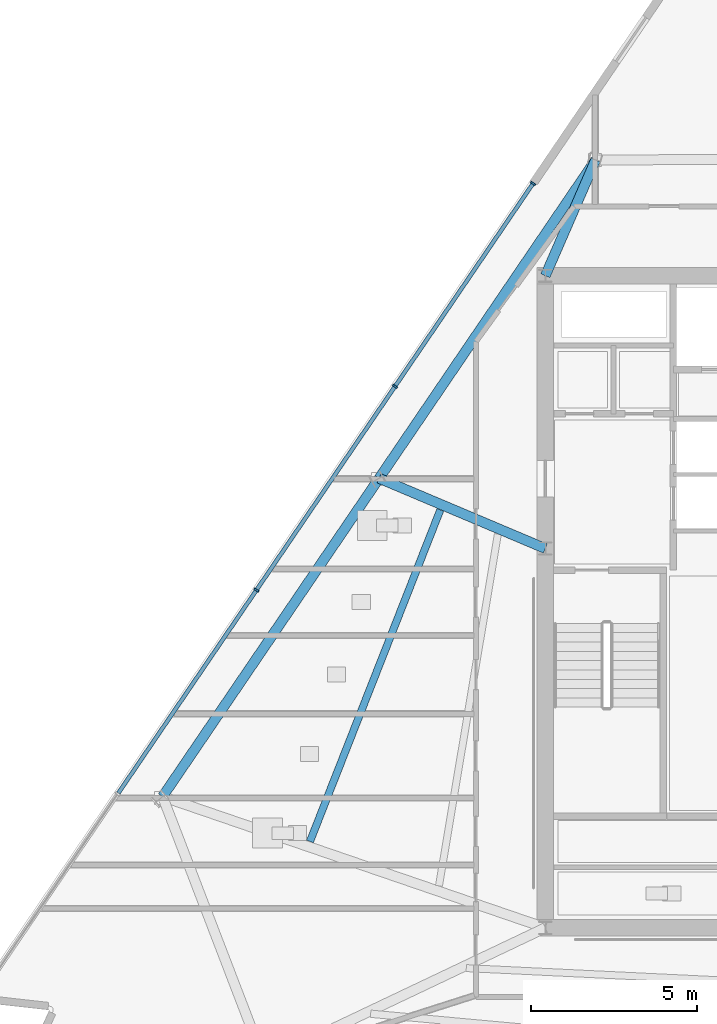
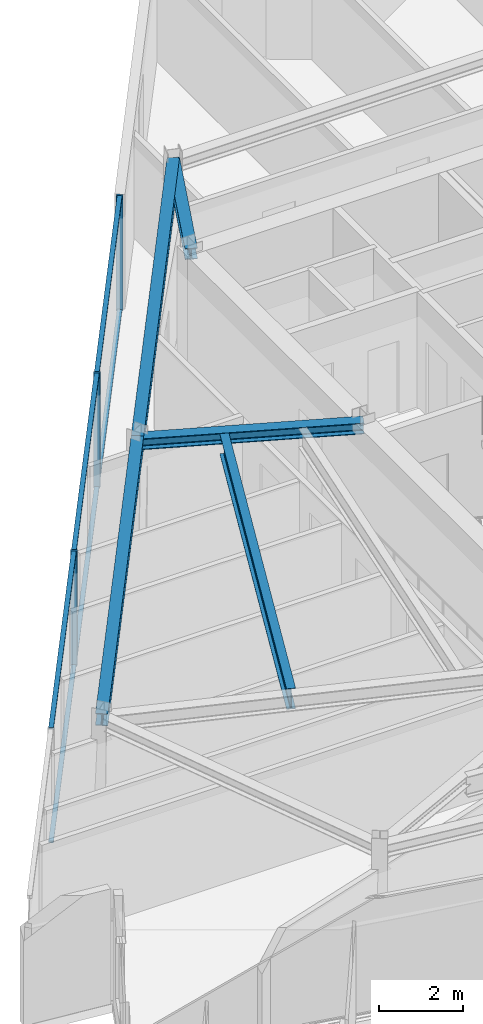
# One storey, part 4 of 14: 9 members, 5 beams, 1 element without a shape of its own.
"""IFC4 building model written with IfcOpenShell, lengths in metres."""

from ifc_helpers import new_model, si_unit, direction, frame, origin, origin_2d, place, context, subcontext, project, spatial, rectangle, i_section, extrude, material, material_profile, profile_set, type_object, element, aggregate, save


model = new_model("IFC4")

# Units and contexts
model_context = context("Model", 3, precision=1e-05, world=origin(), true_north=direction((0.0, 1.0)))
body_context = subcontext(model_context, "Body", "Model", "MODEL_VIEW")
ifc_project = project(units=[si_unit("LENGTHUNIT", "METRE"), si_unit("AREAUNIT", "SQUARE_METRE"), si_unit("VOLUMEUNIT", "CUBIC_METRE"), si_unit("PLANEANGLEUNIT", "RADIAN"), si_unit("MASSUNIT", "GRAM", prefix="KILO")], contexts=[model_context])

# Site, building, storey
site_placement = place(None, origin())
site = spatial("IfcSite", under=ifc_project, at=site_placement, CompositionType="ELEMENT")
building_placement = place(site_placement, origin())
building = spatial("IfcBuilding", under=site, at=building_placement, Name="Savorim Split Tower", CompositionType="ELEMENT")
storey_placement = place(building_placement, frame((0.0, 0.0, 234.300048828125)))
storey = spatial("IfcBuildingStorey", under=building, at=storey_placement, Name="L62", CompositionType="ELEMENT", Elevation=234.300048828125)

# Beams
ifc_material_1 = material(Name="Steel S355", Category="steel")
ifc_material_profile_1 = material_profile(ifc_material_1, i_section(OverallWidth=0.219970703125, OverallDepth=0.60009765625, WebThickness=0.011962890625, FlangeThickness=0.01904296875, FilletRadius=0.02392578125, at=origin_2d()), Name="IPE 600")
ifc_profile_set_1 = profile_set([ifc_material_profile_1], Name="Steel S355")
beam_type_1 = type_object("IfcBeamType", Name="BM-JST-IPE600", PredefinedType="JOIST", material=ifc_profile_set_1)
beam_1_placement = place(storey_placement, frame((-10.855712890625, 3.159912109375, 3.050048828125), z_axis=(-0.365916854835, -0.930647546254, 0.0), x_axis=(0.930647546254, -0.365916854835, 0.0)))
element("IfcBeam", 1, at=beam_1_placement, inside=storey, type_object=beam_type_1, Name="L62 Secondary Floor Joist JS-10", PredefinedType="JOIST", context=body_context, shape_type="SweptSolid", body=[
    extrude(i_section(OverallWidth=0.219970703125, OverallDepth=0.60009765625, WebThickness=0.011962890625, FlangeThickness=0.01904296875, FilletRadius=0.02392578125, at=origin_2d()), origin(), (0.0, 0.0, 1.0), 10.709228515625),
])
ifc_material_profile_2 = material_profile(ifc_material_1, i_section(OverallWidth=0.300048828125, OverallDepth=0.320068359375, WebThickness=0.011474609375, FlangeThickness=0.0205078125, FilletRadius=0.027099609375, at=origin_2d()), Name="HEB 320")
ifc_profile_set_2 = profile_set([ifc_material_profile_2], Name="Steel S355")
beam_type_2 = type_object("IfcBeamType", Name="BM-PRI-HEB320", PredefinedType="BEAM", material=ifc_profile_set_2)
beam_2_placement = place(storey_placement, frame((-6.18603515625, 13.6796875, 3.18994140625), z_axis=(-0.398944881926, -0.916974907609, 0.0), x_axis=(0.916974907609, -0.398944881926, 0.0)))
element("IfcBeam", 2, at=beam_2_placement, inside=storey, type_object=beam_type_2, Name="L62 Primary Floor Girder RG-08", PredefinedType="BEAM", context=body_context, shape_type="SweptSolid", body=[
    extrude(i_section(OverallWidth=0.300048828125, OverallDepth=0.320068359375, WebThickness=0.011474609375, FlangeThickness=0.0205078125, FilletRadius=0.027099609375, at=origin_2d()), origin(), (0.0, 0.0, 1.0), 3.794921875),
])
beam_3_placement = place(storey_placement, frame((-12.6953125, 4.111083984375, 3.18994140625), z_axis=(0.921121890454, -0.389274277247, 0.0), x_axis=(0.389274277247, 0.921121890454, 0.0)))
element("IfcBeam", 3, at=beam_3_placement, inside=storey, type_object=beam_type_2, Name="L62 Primary Floor Girder RG-09", PredefinedType="BEAM", context=body_context, shape_type="SweptSolid", body=[
    extrude(i_section(OverallWidth=0.300048828125, OverallDepth=0.320068359375, WebThickness=0.011474609375, FlangeThickness=0.0205078125, FilletRadius=0.027099609375, at=origin_2d()), origin(), (0.0, 0.0, 1.0), 5.423095703125),
])
ifc_material_profile_3 = material_profile(ifc_material_1, i_section(OverallWidth=0.300048828125, OverallDepth=0.35009765625, WebThickness=0.010009765625, FlangeThickness=0.017578125, FilletRadius=0.027099609375, at=origin_2d()), Name="HEA 360")
ifc_profile_set_3 = profile_set([ifc_material_profile_3], Name="Steel S355")
beam_type_3 = type_object("IfcBeamType", Name="BM-SPN-HEA360", PredefinedType="SPANDREL", material=ifc_profile_set_3)
beam_4_placement = place(storey_placement, frame((-6.18603515625, 13.6796875, 3.175048828125), z_axis=(-0.562465231991, -0.826820937568, 0.0), x_axis=(0.826820937568, -0.562465231991, 0.0)))
element("IfcBeam", 4, at=beam_4_placement, inside=storey, type_object=beam_type_3, Name="L62 Perimeter Spandrel Beam 8", PredefinedType="SPANDREL", context=body_context, shape_type="SweptSolid", body=[
    extrude(i_section(OverallWidth=0.300048828125, OverallDepth=0.35009765625, WebThickness=0.010009765625, FlangeThickness=0.017578125, FilletRadius=0.027099609375, at=origin_2d()), origin(), (0.0, 0.0, 1.0), 11.57275390625),
])
beam_5_placement = place(storey_placement, frame((-12.6953125, 4.111083984375, 3.175048828125), z_axis=(-0.562475043051, -0.826814263269, 0.0), x_axis=(0.826814263269, -0.562475043051, 0.0)))
element("IfcBeam", 5, at=beam_5_placement, inside=storey, type_object=beam_type_3, Name="L62 Perimeter Spandrel Beam 9", PredefinedType="SPANDREL", context=body_context, shape_type="SweptSolid", body=[
    extrude(i_section(OverallWidth=0.300048828125, OverallDepth=0.35009765625, WebThickness=0.010009765625, FlangeThickness=0.017578125, FilletRadius=0.027099609375, at=origin_2d()), origin(), (0.0, 0.0, 1.0), 11.572509765625),
])

# Curtain wall, members
ifc_material_2 = material(Name="Dark Ceramic-Fritted Insulated Glass", Category="glass")
curtain_wall_type = type_object("IfcCurtainWallType", Name="CW-TWR-FRIT-B", PredefinedType="NOTDEFINED", material=ifc_material_2)
curtain_wall_placement = place(storey_placement, origin())
curtain_wall = element("IfcCurtainWall", 6, at=curtain_wall_placement, inside=storey, type_object=curtain_wall_type, Name="L62 Curtain Wall CW-L62-WEST", PredefinedType="NOTDEFINED")
ifc_material_3 = material(Name="Charcoal Anodised Aluminium", Category="aluminium")
ifc_material_profile_4 = material_profile(ifc_material_3, rectangle(XDim=0.159912109375, YDim=0.06005859375, at=origin_2d()), Name="ALU-M 160x60")
ifc_profile_set_4 = profile_set([ifc_material_profile_4], Name="Charcoal Anodised Aluminium")
member_type_1 = type_object("IfcMemberType", Name="CWM-160x60", PredefinedType="MULLION", material=ifc_profile_set_4)
member_1_placement = place(storey_placement, frame((-8.0673828125, 12.9736328125, 0.0), z_axis=(0.0, 0.0, 1.0), x_axis=(0.826820024782, -0.562466573779, 0.0)))
member_1 = element("IfcMember", 7, at=member_1_placement, type_object=member_type_1, Name="CW-03 mullion 1", PredefinedType="MULLION", context=body_context, shape_type="SweptSolid", body=[
    extrude(rectangle(XDim=0.159912109375, YDim=0.06005859375, at=origin_2d()), origin(), (0.0, 0.0, 1.0), 3.349853515625),
])
member_2_placement = place(storey_placement, frame((-12.216796875, 6.873779296875, 0.0), z_axis=(0.0, 0.0, 1.0), x_axis=(0.826820024782, -0.562466573779, 0.0)))
member_2 = element("IfcMember", 8, at=member_2_placement, type_object=member_type_1, Name="CW-03 mullion 2", PredefinedType="MULLION", context=body_context, shape_type="SweptSolid", body=[
    extrude(rectangle(XDim=0.159912109375, YDim=0.06005859375, at=origin_2d()), origin(), (0.0, 0.0, 1.0), 3.349853515625),
])
member_3_placement = place(storey_placement, frame((-16.38330078125, 0.7490234375, 0.0), z_axis=(0.0, 0.0, 1.0), x_axis=(0.826820024782, -0.562466573779, 0.0)))
member_3 = element("IfcMember", 9, at=member_3_placement, type_object=member_type_1, Name="CW-03 mullion 3", PredefinedType="MULLION", context=body_context, shape_type="SweptSolid", body=[
    extrude(rectangle(XDim=0.159912109375, YDim=0.06005859375, at=origin_2d()), origin(), (0.0, 0.0, 1.0), 3.349853515625),
])
ifc_material_profile_5 = material_profile(ifc_material_3, rectangle(XDim=0.1201171875, YDim=0.050048828125, at=origin_2d()), Name="ALU-T 120x50")
ifc_profile_set_5 = profile_set([ifc_material_profile_5], Name="Charcoal Anodised Aluminium")
member_type_2 = type_object("IfcMemberType", Name="CWT-120x50", PredefinedType="USERDEFINED", material=ifc_profile_set_5)
member_4_placement = place(storey_placement, frame((-8.084228515625, 12.94873046875, 0.02490234375), z_axis=(-0.562452376398, -0.826829682755, 0.0), x_axis=(0.826829682755, -0.562452376398, 0.0)))
member_4 = element("IfcMember", 10, at=member_4_placement, type_object=member_type_2, Name="CW-03 transom 1.1", ObjectType="TRANSOM", PredefinedType="USERDEFINED", context=body_context, shape_type="SweptSolid", body=[
    extrude(rectangle(XDim=0.1201171875, YDim=0.050048828125, at=origin_2d()), origin(), (0.0, 0.0, 1.0), 7.3173828125),
])
member_5_placement = place(storey_placement, frame((-8.084228515625, 12.94873046875, 3.324951171875), z_axis=(-0.562452376398, -0.826829682755, 0.0), x_axis=(0.826829682755, -0.562452376398, 0.0)))
member_5 = element("IfcMember", 11, at=member_5_placement, type_object=member_type_2, Name="CW-03 transom 1.2", ObjectType="TRANSOM", PredefinedType="USERDEFINED", context=body_context, shape_type="SweptSolid", body=[
    extrude(rectangle(XDim=0.1201171875, YDim=0.050048828125, at=origin_2d()), origin(), (0.0, 0.0, 1.0), 7.3173828125),
])
member_6_placement = place(storey_placement, frame((-12.233642578125, 6.848876953125, 0.02490234375), z_axis=(-0.562481783671, -0.82680967764, 0.0), x_axis=(0.82680967764, -0.562481783671, 0.0)))
member_6 = element("IfcMember", 12, at=member_6_placement, type_object=member_type_2, Name="CW-03 transom 2.1", ObjectType="TRANSOM", PredefinedType="USERDEFINED", context=body_context, shape_type="SweptSolid", body=[
    extrude(rectangle(XDim=0.1201171875, YDim=0.050048828125, at=origin_2d()), origin(), (0.0, 0.0, 1.0), 7.347412109375),
])
member_7_placement = place(storey_placement, frame((-12.233642578125, 6.848876953125, 3.324951171875), z_axis=(-0.562481783671, -0.82680967764, 0.0), x_axis=(0.82680967764, -0.562481783671, 0.0)))
member_7 = element("IfcMember", 13, at=member_7_placement, type_object=member_type_2, Name="CW-03 transom 2.2", ObjectType="TRANSOM", PredefinedType="USERDEFINED", context=body_context, shape_type="SweptSolid", body=[
    extrude(rectangle(XDim=0.1201171875, YDim=0.050048828125, at=origin_2d()), origin(), (0.0, 0.0, 1.0), 7.347412109375),
])
member_8_placement = place(storey_placement, frame((-16.400146484375, 0.724365234375, 0.02490234375), z_axis=(-0.562466330854, -0.826820190039, 0.0), x_axis=(0.826820190039, -0.562466330854, 0.0)))
member_8 = element("IfcMember", 14, at=member_8_placement, type_object=member_type_2, Name="CW-03 transom 3.1", ObjectType="TRANSOM", PredefinedType="USERDEFINED", context=body_context, shape_type="SweptSolid", body=[
    extrude(rectangle(XDim=0.1201171875, YDim=0.050048828125, at=origin_2d()), origin(), (0.0, 0.0, 1.0), 7.34765625),
])
member_9_placement = place(storey_placement, frame((-16.400146484375, 0.724365234375, 3.324951171875), z_axis=(-0.562466330854, -0.826820190039, 0.0), x_axis=(0.826820190039, -0.562466330854, 0.0)))
member_9 = element("IfcMember", 15, at=member_9_placement, type_object=member_type_2, Name="CW-03 transom 3.2", ObjectType="TRANSOM", PredefinedType="USERDEFINED", context=body_context, shape_type="SweptSolid", body=[
    extrude(rectangle(XDim=0.1201171875, YDim=0.050048828125, at=origin_2d()), origin(), (0.0, 0.0, 1.0), 7.34765625),
])
aggregate(curtain_wall, [member_1, member_2, member_3, member_4, member_5, member_6, member_7, member_8, member_9])

save(model, "model.ifc")
